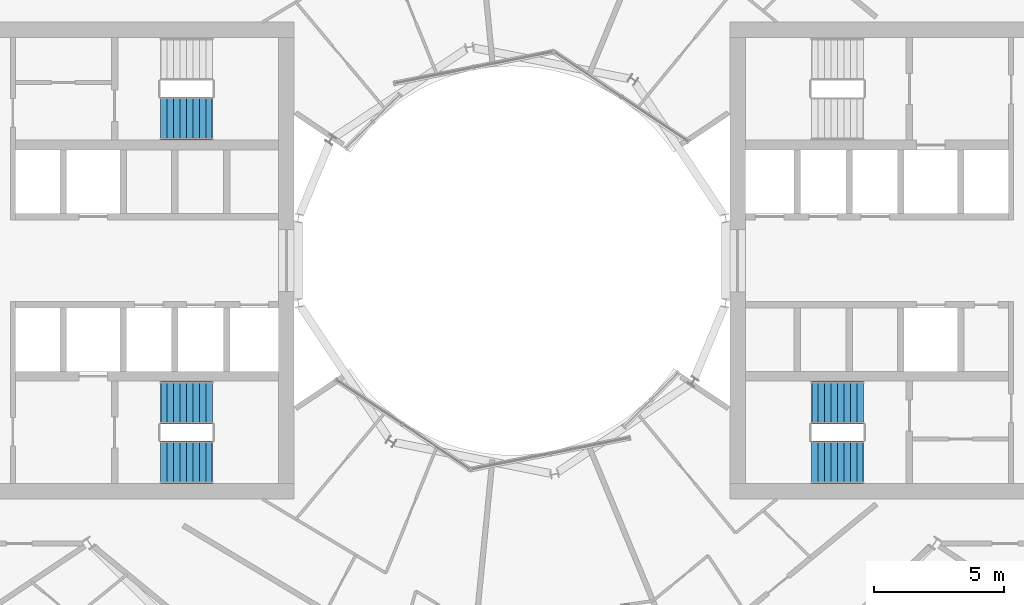
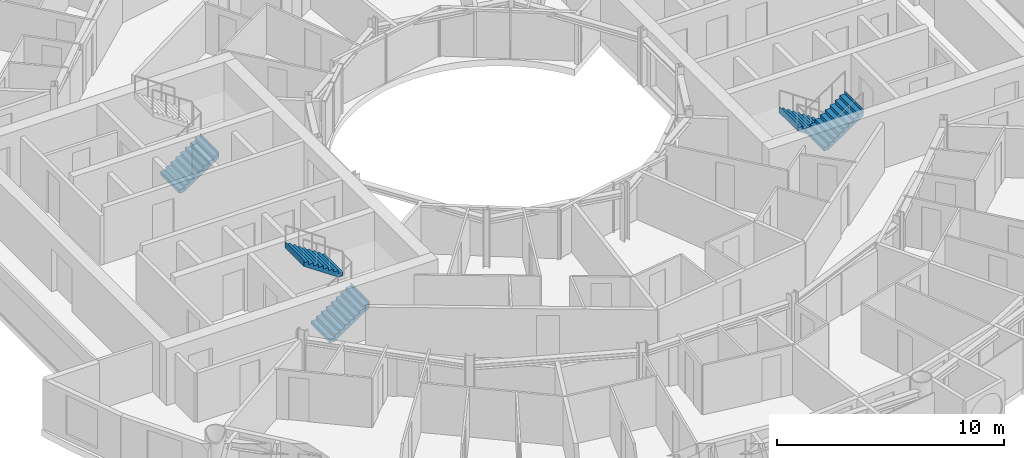
# One storey, part 24 of 27: 5 stair flights, 3 elements without a shape of their own.
"""IFC4 building model written with IfcOpenShell, lengths in metres."""

from ifc_helpers import new_model, si_unit, direction, frame, origin, place, context, subcontext, project, spatial, triangles, material, type_object, element, aggregate, save


model = new_model("IFC4")

# Units and contexts
model_context = context("Model", 3, precision=1e-05, world=origin(), true_north=direction((0.0, 1.0)))
body_context = subcontext(model_context, "Body", "Model", "MODEL_VIEW")
ifc_project = project(units=[si_unit("LENGTHUNIT", "METRE"), si_unit("AREAUNIT", "SQUARE_METRE"), si_unit("VOLUMEUNIT", "CUBIC_METRE"), si_unit("PLANEANGLEUNIT", "RADIAN"), si_unit("MASSUNIT", "GRAM", prefix="KILO")], contexts=[model_context])

# Site, building, storey
site_placement = place(None, origin())
site = spatial("IfcSite", under=ifc_project, at=site_placement, CompositionType="ELEMENT")
building_placement = place(site_placement, origin())
building = spatial("IfcBuilding", under=site, at=building_placement, Name="Maasbend Ring Residences", CompositionType="ELEMENT")
storey_placement = place(building_placement, frame((0.0, 0.0, 136.050048828125)))
storey = spatial("IfcBuildingStorey", under=building, at=storey_placement, Name="L39", CompositionType="ELEMENT", Elevation=136.050048828125)

# Stair, stair flights
ifc_material_1 = material(Name="Concrete C40/50", Category="concrete")
stair_type = type_object("IfcStairType", Name="CORE STAIR 18 RISERS", PredefinedType="HALF_TURN_STAIR", material=ifc_material_1)
stair_1_placement = place(storey_placement, origin())
stair_1 = element("IfcStair", 1, at=stair_1_placement, inside=storey, type_object=stair_type, Name="L39 Exit stair ST-E2", PredefinedType="HALF_TURN_STAIR")
ifc_material_2 = material(Name="Concrete C40/50", Category="concrete")
stair_flight_type = type_object("IfcStairFlightType", Name="CORE STAIR FLIGHT 1650", PredefinedType="STRAIGHT", material=ifc_material_2)
stair_flight_1_placement = place(storey_placement, frame((13.550048828125, -5.47509765625, 0.0), z_axis=(0.0, 0.0, 1.0), x_axis=(-1.0, 0.0, 0.0)))
stair_flight_1 = element("IfcStairFlight", 2, at=stair_flight_1_placement, type_object=stair_flight_type, Name="ST-E2 flight 1", NumberOfRisers=9, NumberOfTreads=8, PredefinedType="STRAIGHT", RiserHeight=0.169444444, TreadLength=0.25, context=body_context, shape_type="Tessellation", body=[
    triangles([(0.24072265625, 0.824951171875, -0.02001953125), (2.0029296875, 0.824951171875, 1.174560546875), (2.0029296875, 0.824951171875, 1.52490234375), (1.989990234375, 0.824951171875, 1.35546875), (1.75, 0.824951171875, 1.35546875), (1.75, 0.824951171875, 1.18603515625), (1.5, 0.824951171875, 1.18603515625), (1.5, 0.824951171875, 1.0166015625), (1.25, 0.824951171875, 1.0166015625), (1.25, 0.824951171875, 0.84716796875), (1.0, 0.824951171875, 0.84716796875), (1.0, 0.824951171875, 0.677734375), (0.75, 0.824951171875, 0.677734375), (0.75, 0.824951171875, 0.50830078125), (0.5, 0.824951171875, 0.50830078125), (0.5, 0.824951171875, 0.3388671875), (0.25, 0.824951171875, 0.3388671875), (0.25, 0.824951171875, 0.16943359375), (0.0, 0.824951171875, 0.16943359375), (0.0, 0.824951171875, 0.0), (-0.0029296875, 0.824951171875, 0.0), (-0.0029296875, 0.824951171875, -0.02001953125), (0.24072265625, 0.27490234375, -0.02001953125), (2.0029296875, 0.27490234375, 1.174560546875), (2.0029296875, 0.27490234375, 1.52490234375), (1.989990234375, 0.27490234375, 1.35546875), (1.75, 0.27490234375, 1.35546875), (1.75, 0.27490234375, 1.18603515625), (1.5, 0.27490234375, 1.18603515625), (1.5, 0.27490234375, 1.0166015625), (1.25, 0.27490234375, 1.0166015625), (1.25, 0.27490234375, 0.84716796875), (1.0, 0.27490234375, 0.84716796875), (1.0, 0.27490234375, 0.677734375), (0.75, 0.27490234375, 0.677734375), (0.75, 0.27490234375, 0.50830078125), (0.5, 0.27490234375, 0.50830078125), (0.5, 0.27490234375, 0.3388671875), (0.25, 0.27490234375, 0.3388671875), (0.25, 0.27490234375, 0.16943359375), (0.0, 0.27490234375, 0.16943359375), (0.0, 0.27490234375, 0.0), (-0.0029296875, 0.27490234375, 0.0), (-0.0029296875, 0.27490234375, -0.02001953125), (0.24072265625, -0.27490234375, -0.02001953125), (2.0029296875, -0.27490234375, 1.174560546875), (2.0029296875, -0.27490234375, 1.52490234375), (1.989990234375, -0.27490234375, 1.35546875), (1.75, -0.27490234375, 1.35546875), (1.75, -0.27490234375, 1.18603515625), (1.5, -0.27490234375, 1.18603515625), (1.5, -0.27490234375, 1.0166015625), (1.25, -0.27490234375, 1.0166015625), (1.25, -0.27490234375, 0.84716796875), (1.0, -0.27490234375, 0.84716796875), (1.0, -0.27490234375, 0.677734375), (0.75, -0.27490234375, 0.677734375), (0.75, -0.27490234375, 0.50830078125), (0.5, -0.27490234375, 0.50830078125), (0.5, -0.27490234375, 0.3388671875), (0.25, -0.27490234375, 0.3388671875), (0.25, -0.27490234375, 0.16943359375), (0.0, -0.27490234375, 0.16943359375), (0.0, -0.27490234375, 0.0), (-0.0029296875, -0.27490234375, 0.0), (-0.0029296875, -0.27490234375, -0.02001953125), (0.24072265625, -0.824951171875, -0.02001953125), (2.0029296875, -0.824951171875, 1.174560546875), (2.0029296875, -0.824951171875, 1.52490234375), (1.989990234375, -0.824951171875, 1.35546875), (1.75, -0.824951171875, 1.35546875), (1.75, -0.824951171875, 1.18603515625), (1.5, -0.824951171875, 1.18603515625), (1.5, -0.824951171875, 1.0166015625), (1.25, -0.824951171875, 1.0166015625), (1.25, -0.824951171875, 0.84716796875), (1.0, -0.824951171875, 0.84716796875), (1.0, -0.824951171875, 0.677734375), (0.75, -0.824951171875, 0.677734375), (0.75, -0.824951171875, 0.50830078125), (0.5, -0.824951171875, 0.50830078125), (0.5, -0.824951171875, 0.3388671875), (0.25, -0.824951171875, 0.3388671875), (0.25, -0.824951171875, 0.16943359375), (0.0, -0.824951171875, 0.16943359375), (0.0, -0.824951171875, 0.0), (-0.0029296875, -0.824951171875, 0.0), (-0.0029296875, -0.824951171875, -0.02001953125)], [[1, 2, 24], [1, 24, 23], [23, 24, 46], [23, 46, 45], [45, 46, 68], [45, 68, 67], [2, 3, 25], [2, 25, 24], [24, 25, 47], [24, 47, 46], [46, 47, 69], [46, 69, 68], [3, 4, 26], [3, 26, 25], [25, 26, 48], [25, 48, 47], [47, 48, 70], [47, 70, 69], [4, 5, 27], [4, 27, 26], [26, 27, 49], [26, 49, 48], [48, 49, 71], [48, 71, 70], [5, 6, 28], [5, 28, 27], [27, 28, 50], [27, 50, 49], [49, 50, 72], [49, 72, 71], [6, 7, 29], [6, 29, 28], [28, 29, 51], [28, 51, 50], [50, 51, 73], [50, 73, 72], [7, 8, 30], [7, 30, 29], [29, 30, 52], [29, 52, 51], [51, 52, 74], [51, 74, 73], [8, 9, 31], [8, 31, 30], [30, 31, 53], [30, 53, 52], [52, 53, 75], [52, 75, 74], [9, 10, 32], [9, 32, 31], [31, 32, 54], [31, 54, 53], [53, 54, 76], [53, 76, 75], [10, 11, 33], [10, 33, 32], [32, 33, 55], [32, 55, 54], [54, 55, 77], [54, 77, 76], [11, 12, 34], [11, 34, 33], [33, 34, 56], [33, 56, 55], [55, 56, 78], [55, 78, 77], [12, 13, 35], [12, 35, 34], [34, 35, 57], [34, 57, 56], [56, 57, 79], [56, 79, 78], [13, 14, 36], [13, 36, 35], [35, 36, 58], [35, 58, 57], [57, 58, 80], [57, 80, 79], [14, 15, 37], [14, 37, 36], [36, 37, 59], [36, 59, 58], [58, 59, 81], [58, 81, 80], [15, 16, 38], [15, 38, 37], [37, 38, 60], [37, 60, 59], [59, 60, 82], [59, 82, 81], [16, 17, 39], [16, 39, 38], [38, 39, 61], [38, 61, 60], [60, 61, 83], [60, 83, 82], [17, 18, 40], [17, 40, 39], [39, 40, 62], [39, 62, 61], [61, 62, 84], [61, 84, 83], [18, 19, 41], [18, 41, 40], [40, 41, 63], [40, 63, 62], [62, 63, 85], [62, 85, 84], [19, 20, 42], [19, 42, 41], [41, 42, 64], [41, 64, 63], [63, 64, 86], [63, 86, 85], [20, 21, 43], [20, 43, 42], [42, 43, 65], [42, 65, 64], [64, 65, 87], [64, 87, 86], [21, 22, 44], [21, 44, 43], [43, 44, 66], [43, 66, 65], [65, 66, 88], [65, 88, 87], [22, 1, 23], [22, 23, 44], [44, 23, 45], [44, 45, 66], [66, 45, 67], [66, 67, 88], [22, 2, 1], [2, 4, 3], [2, 5, 4], [2, 6, 5], [22, 6, 2], [6, 8, 7], [22, 8, 6], [8, 10, 9], [22, 10, 8], [10, 12, 11], [22, 12, 10], [12, 14, 13], [22, 14, 12], [14, 16, 15], [22, 16, 14], [16, 18, 17], [22, 18, 16], [18, 20, 19], [22, 20, 18], [20, 22, 21], [88, 67, 68], [68, 69, 70], [68, 70, 71], [68, 71, 72], [88, 68, 72], [72, 73, 74], [88, 72, 74], [74, 75, 76], [88, 74, 76], [76, 77, 78], [88, 76, 78], [78, 79, 80], [88, 78, 80], [80, 81, 82], [88, 80, 82], [82, 83, 84], [88, 82, 84], [84, 85, 86], [88, 84, 86], [86, 87, 88]], closed=True),
])
stair_flight_2_placement = place(storey_placement, frame((11.550048828125, -7.77490234375, 1.52490234375), z_axis=(0.0, 0.0, 1.0), x_axis=(1.0, 0.0, 0.0)))
stair_flight_2 = element("IfcStairFlight", 3, at=stair_flight_2_placement, type_object=stair_flight_type, Name="ST-E2 flight 2", NumberOfRisers=9, NumberOfTreads=8, PredefinedType="STRAIGHT", RiserHeight=0.169444444, TreadLength=0.25, context=body_context, shape_type="Tessellation", body=[
    triangles([(0.24072265625, 0.824951171875, -0.02001953125), (2.0029296875, 0.824951171875, 1.174560546875), (2.0029296875, 0.824951171875, 1.52490234375), (1.989990234375, 0.824951171875, 1.35546875), (1.75, 0.824951171875, 1.35546875), (1.75, 0.824951171875, 1.18603515625), (1.5, 0.824951171875, 1.18603515625), (1.5, 0.824951171875, 1.0166015625), (1.25, 0.824951171875, 1.0166015625), (1.25, 0.824951171875, 0.84716796875), (1.0, 0.824951171875, 0.84716796875), (1.0, 0.824951171875, 0.677734375), (0.75, 0.824951171875, 0.677734375), (0.75, 0.824951171875, 0.50830078125), (0.5, 0.824951171875, 0.50830078125), (0.5, 0.824951171875, 0.3388671875), (0.25, 0.824951171875, 0.3388671875), (0.25, 0.824951171875, 0.16943359375), (0.0, 0.824951171875, 0.16943359375), (0.0, 0.824951171875, 0.0), (-0.0029296875, 0.824951171875, 0.0), (-0.0029296875, 0.824951171875, -0.02001953125), (0.24072265625, 0.27490234375, -0.02001953125), (2.0029296875, 0.27490234375, 1.174560546875), (2.0029296875, 0.27490234375, 1.52490234375), (1.989990234375, 0.27490234375, 1.35546875), (1.75, 0.27490234375, 1.35546875), (1.75, 0.27490234375, 1.18603515625), (1.5, 0.27490234375, 1.18603515625), (1.5, 0.27490234375, 1.0166015625), (1.25, 0.27490234375, 1.0166015625), (1.25, 0.27490234375, 0.84716796875), (1.0, 0.27490234375, 0.84716796875), (1.0, 0.27490234375, 0.677734375), (0.75, 0.27490234375, 0.677734375), (0.75, 0.27490234375, 0.50830078125), (0.5, 0.27490234375, 0.50830078125), (0.5, 0.27490234375, 0.3388671875), (0.25, 0.27490234375, 0.3388671875), (0.25, 0.27490234375, 0.16943359375), (0.0, 0.27490234375, 0.16943359375), (0.0, 0.27490234375, 0.0), (-0.0029296875, 0.27490234375, 0.0), (-0.0029296875, 0.27490234375, -0.02001953125), (0.24072265625, -0.27490234375, -0.02001953125), (2.0029296875, -0.27490234375, 1.174560546875), (2.0029296875, -0.27490234375, 1.52490234375), (1.989990234375, -0.27490234375, 1.35546875), (1.75, -0.27490234375, 1.35546875), (1.75, -0.27490234375, 1.18603515625), (1.5, -0.27490234375, 1.18603515625), (1.5, -0.27490234375, 1.0166015625), (1.25, -0.27490234375, 1.0166015625), (1.25, -0.27490234375, 0.84716796875), (1.0, -0.27490234375, 0.84716796875), (1.0, -0.27490234375, 0.677734375), (0.75, -0.27490234375, 0.677734375), (0.75, -0.27490234375, 0.50830078125), (0.5, -0.27490234375, 0.50830078125), (0.5, -0.27490234375, 0.3388671875), (0.25, -0.27490234375, 0.3388671875), (0.25, -0.27490234375, 0.16943359375), (0.0, -0.27490234375, 0.16943359375), (0.0, -0.27490234375, 0.0), (-0.0029296875, -0.27490234375, 0.0), (-0.0029296875, -0.27490234375, -0.02001953125), (0.24072265625, -0.824951171875, -0.02001953125), (2.0029296875, -0.824951171875, 1.174560546875), (2.0029296875, -0.824951171875, 1.52490234375), (1.989990234375, -0.824951171875, 1.35546875), (1.75, -0.824951171875, 1.35546875), (1.75, -0.824951171875, 1.18603515625), (1.5, -0.824951171875, 1.18603515625), (1.5, -0.824951171875, 1.0166015625), (1.25, -0.824951171875, 1.0166015625), (1.25, -0.824951171875, 0.84716796875), (1.0, -0.824951171875, 0.84716796875), (1.0, -0.824951171875, 0.677734375), (0.75, -0.824951171875, 0.677734375), (0.75, -0.824951171875, 0.50830078125), (0.5, -0.824951171875, 0.50830078125), (0.5, -0.824951171875, 0.3388671875), (0.25, -0.824951171875, 0.3388671875), (0.25, -0.824951171875, 0.16943359375), (0.0, -0.824951171875, 0.16943359375), (0.0, -0.824951171875, 0.0), (-0.0029296875, -0.824951171875, 0.0), (-0.0029296875, -0.824951171875, -0.02001953125)], [[1, 2, 24], [1, 24, 23], [23, 24, 46], [23, 46, 45], [45, 46, 68], [45, 68, 67], [2, 3, 25], [2, 25, 24], [24, 25, 47], [24, 47, 46], [46, 47, 69], [46, 69, 68], [3, 4, 26], [3, 26, 25], [25, 26, 48], [25, 48, 47], [47, 48, 70], [47, 70, 69], [4, 5, 27], [4, 27, 26], [26, 27, 49], [26, 49, 48], [48, 49, 71], [48, 71, 70], [5, 6, 28], [5, 28, 27], [27, 28, 50], [27, 50, 49], [49, 50, 72], [49, 72, 71], [6, 7, 29], [6, 29, 28], [28, 29, 51], [28, 51, 50], [50, 51, 73], [50, 73, 72], [7, 8, 30], [7, 30, 29], [29, 30, 52], [29, 52, 51], [51, 52, 74], [51, 74, 73], [8, 9, 31], [8, 31, 30], [30, 31, 53], [30, 53, 52], [52, 53, 75], [52, 75, 74], [9, 10, 32], [9, 32, 31], [31, 32, 54], [31, 54, 53], [53, 54, 76], [53, 76, 75], [10, 11, 33], [10, 33, 32], [32, 33, 55], [32, 55, 54], [54, 55, 77], [54, 77, 76], [11, 12, 34], [11, 34, 33], [33, 34, 56], [33, 56, 55], [55, 56, 78], [55, 78, 77], [12, 13, 35], [12, 35, 34], [34, 35, 57], [34, 57, 56], [56, 57, 79], [56, 79, 78], [13, 14, 36], [13, 36, 35], [35, 36, 58], [35, 58, 57], [57, 58, 80], [57, 80, 79], [14, 15, 37], [14, 37, 36], [36, 37, 59], [36, 59, 58], [58, 59, 81], [58, 81, 80], [15, 16, 38], [15, 38, 37], [37, 38, 60], [37, 60, 59], [59, 60, 82], [59, 82, 81], [16, 17, 39], [16, 39, 38], [38, 39, 61], [38, 61, 60], [60, 61, 83], [60, 83, 82], [17, 18, 40], [17, 40, 39], [39, 40, 62], [39, 62, 61], [61, 62, 84], [61, 84, 83], [18, 19, 41], [18, 41, 40], [40, 41, 63], [40, 63, 62], [62, 63, 85], [62, 85, 84], [19, 20, 42], [19, 42, 41], [41, 42, 64], [41, 64, 63], [63, 64, 86], [63, 86, 85], [20, 21, 43], [20, 43, 42], [42, 43, 65], [42, 65, 64], [64, 65, 87], [64, 87, 86], [21, 22, 44], [21, 44, 43], [43, 44, 66], [43, 66, 65], [65, 66, 88], [65, 88, 87], [22, 1, 23], [22, 23, 44], [44, 23, 45], [44, 45, 66], [66, 45, 67], [66, 67, 88], [22, 2, 1], [2, 4, 3], [2, 5, 4], [2, 6, 5], [22, 6, 2], [6, 8, 7], [22, 8, 6], [8, 10, 9], [22, 10, 8], [10, 12, 11], [22, 12, 10], [12, 14, 13], [22, 14, 12], [14, 16, 15], [22, 16, 14], [16, 18, 17], [22, 18, 16], [18, 20, 19], [22, 20, 18], [20, 22, 21], [88, 67, 68], [68, 69, 70], [68, 70, 71], [68, 71, 72], [88, 68, 72], [72, 73, 74], [88, 72, 74], [74, 75, 76], [88, 74, 76], [76, 77, 78], [88, 76, 78], [78, 79, 80], [88, 78, 80], [80, 81, 82], [88, 80, 82], [82, 83, 84], [88, 82, 84], [84, 85, 86], [88, 84, 86], [86, 87, 88]], closed=True),
])
aggregate(stair_1, [stair_flight_1, stair_flight_2])

stair_2_placement = place(storey_placement, origin())
stair_2 = element("IfcStair", 4, at=stair_2_placement, inside=storey, type_object=stair_type, Name="L39 Exit stair ST-W1", PredefinedType="HALF_TURN_STAIR")
stair_flight_3_placement = place(storey_placement, frame((-13.550048828125, -7.77490234375, 0.0), z_axis=(0.0, 0.0, 1.0), x_axis=(1.0, 0.0, 0.0)))
stair_flight_3 = element("IfcStairFlight", 5, at=stair_flight_3_placement, type_object=stair_flight_type, Name="ST-W1 flight 1", NumberOfRisers=9, NumberOfTreads=8, PredefinedType="STRAIGHT", RiserHeight=0.169444444, TreadLength=0.25, context=body_context, shape_type="Tessellation", body=[
    triangles([(0.24072265625, 0.824951171875, -0.02001953125), (2.0029296875, 0.824951171875, 1.174560546875), (2.0029296875, 0.824951171875, 1.52490234375), (1.989990234375, 0.824951171875, 1.35546875), (1.75, 0.824951171875, 1.35546875), (1.75, 0.824951171875, 1.18603515625), (1.5, 0.824951171875, 1.18603515625), (1.5, 0.824951171875, 1.0166015625), (1.25, 0.824951171875, 1.0166015625), (1.25, 0.824951171875, 0.84716796875), (1.0, 0.824951171875, 0.84716796875), (1.0, 0.824951171875, 0.677734375), (0.75, 0.824951171875, 0.677734375), (0.75, 0.824951171875, 0.50830078125), (0.5, 0.824951171875, 0.50830078125), (0.5, 0.824951171875, 0.3388671875), (0.25, 0.824951171875, 0.3388671875), (0.25, 0.824951171875, 0.16943359375), (0.0, 0.824951171875, 0.16943359375), (0.0, 0.824951171875, 0.0), (-0.0029296875, 0.824951171875, 0.0), (-0.0029296875, 0.824951171875, -0.02001953125), (0.24072265625, 0.27490234375, -0.02001953125), (2.0029296875, 0.27490234375, 1.174560546875), (2.0029296875, 0.27490234375, 1.52490234375), (1.989990234375, 0.27490234375, 1.35546875), (1.75, 0.27490234375, 1.35546875), (1.75, 0.27490234375, 1.18603515625), (1.5, 0.27490234375, 1.18603515625), (1.5, 0.27490234375, 1.0166015625), (1.25, 0.27490234375, 1.0166015625), (1.25, 0.27490234375, 0.84716796875), (1.0, 0.27490234375, 0.84716796875), (1.0, 0.27490234375, 0.677734375), (0.75, 0.27490234375, 0.677734375), (0.75, 0.27490234375, 0.50830078125), (0.5, 0.27490234375, 0.50830078125), (0.5, 0.27490234375, 0.3388671875), (0.25, 0.27490234375, 0.3388671875), (0.25, 0.27490234375, 0.16943359375), (0.0, 0.27490234375, 0.16943359375), (0.0, 0.27490234375, 0.0), (-0.0029296875, 0.27490234375, 0.0), (-0.0029296875, 0.27490234375, -0.02001953125), (0.24072265625, -0.27490234375, -0.02001953125), (2.0029296875, -0.27490234375, 1.174560546875), (2.0029296875, -0.27490234375, 1.52490234375), (1.989990234375, -0.27490234375, 1.35546875), (1.75, -0.27490234375, 1.35546875), (1.75, -0.27490234375, 1.18603515625), (1.5, -0.27490234375, 1.18603515625), (1.5, -0.27490234375, 1.0166015625), (1.25, -0.27490234375, 1.0166015625), (1.25, -0.27490234375, 0.84716796875), (1.0, -0.27490234375, 0.84716796875), (1.0, -0.27490234375, 0.677734375), (0.75, -0.27490234375, 0.677734375), (0.75, -0.27490234375, 0.50830078125), (0.5, -0.27490234375, 0.50830078125), (0.5, -0.27490234375, 0.3388671875), (0.25, -0.27490234375, 0.3388671875), (0.25, -0.27490234375, 0.16943359375), (0.0, -0.27490234375, 0.16943359375), (0.0, -0.27490234375, 0.0), (-0.0029296875, -0.27490234375, 0.0), (-0.0029296875, -0.27490234375, -0.02001953125), (0.24072265625, -0.824951171875, -0.02001953125), (2.0029296875, -0.824951171875, 1.174560546875), (2.0029296875, -0.824951171875, 1.52490234375), (1.989990234375, -0.824951171875, 1.35546875), (1.75, -0.824951171875, 1.35546875), (1.75, -0.824951171875, 1.18603515625), (1.5, -0.824951171875, 1.18603515625), (1.5, -0.824951171875, 1.0166015625), (1.25, -0.824951171875, 1.0166015625), (1.25, -0.824951171875, 0.84716796875), (1.0, -0.824951171875, 0.84716796875), (1.0, -0.824951171875, 0.677734375), (0.75, -0.824951171875, 0.677734375), (0.75, -0.824951171875, 0.50830078125), (0.5, -0.824951171875, 0.50830078125), (0.5, -0.824951171875, 0.3388671875), (0.25, -0.824951171875, 0.3388671875), (0.25, -0.824951171875, 0.16943359375), (0.0, -0.824951171875, 0.16943359375), (0.0, -0.824951171875, 0.0), (-0.0029296875, -0.824951171875, 0.0), (-0.0029296875, -0.824951171875, -0.02001953125)], [[1, 2, 24], [1, 24, 23], [23, 24, 46], [23, 46, 45], [45, 46, 68], [45, 68, 67], [2, 3, 25], [2, 25, 24], [24, 25, 47], [24, 47, 46], [46, 47, 69], [46, 69, 68], [3, 4, 26], [3, 26, 25], [25, 26, 48], [25, 48, 47], [47, 48, 70], [47, 70, 69], [4, 5, 27], [4, 27, 26], [26, 27, 49], [26, 49, 48], [48, 49, 71], [48, 71, 70], [5, 6, 28], [5, 28, 27], [27, 28, 50], [27, 50, 49], [49, 50, 72], [49, 72, 71], [6, 7, 29], [6, 29, 28], [28, 29, 51], [28, 51, 50], [50, 51, 73], [50, 73, 72], [7, 8, 30], [7, 30, 29], [29, 30, 52], [29, 52, 51], [51, 52, 74], [51, 74, 73], [8, 9, 31], [8, 31, 30], [30, 31, 53], [30, 53, 52], [52, 53, 75], [52, 75, 74], [9, 10, 32], [9, 32, 31], [31, 32, 54], [31, 54, 53], [53, 54, 76], [53, 76, 75], [10, 11, 33], [10, 33, 32], [32, 33, 55], [32, 55, 54], [54, 55, 77], [54, 77, 76], [11, 12, 34], [11, 34, 33], [33, 34, 56], [33, 56, 55], [55, 56, 78], [55, 78, 77], [12, 13, 35], [12, 35, 34], [34, 35, 57], [34, 57, 56], [56, 57, 79], [56, 79, 78], [13, 14, 36], [13, 36, 35], [35, 36, 58], [35, 58, 57], [57, 58, 80], [57, 80, 79], [14, 15, 37], [14, 37, 36], [36, 37, 59], [36, 59, 58], [58, 59, 81], [58, 81, 80], [15, 16, 38], [15, 38, 37], [37, 38, 60], [37, 60, 59], [59, 60, 82], [59, 82, 81], [16, 17, 39], [16, 39, 38], [38, 39, 61], [38, 61, 60], [60, 61, 83], [60, 83, 82], [17, 18, 40], [17, 40, 39], [39, 40, 62], [39, 62, 61], [61, 62, 84], [61, 84, 83], [18, 19, 41], [18, 41, 40], [40, 41, 63], [40, 63, 62], [62, 63, 85], [62, 85, 84], [19, 20, 42], [19, 42, 41], [41, 42, 64], [41, 64, 63], [63, 64, 86], [63, 86, 85], [20, 21, 43], [20, 43, 42], [42, 43, 65], [42, 65, 64], [64, 65, 87], [64, 87, 86], [21, 22, 44], [21, 44, 43], [43, 44, 66], [43, 66, 65], [65, 66, 88], [65, 88, 87], [22, 1, 23], [22, 23, 44], [44, 23, 45], [44, 45, 66], [66, 45, 67], [66, 67, 88], [22, 2, 1], [2, 4, 3], [2, 5, 4], [2, 6, 5], [22, 6, 2], [6, 8, 7], [22, 8, 6], [8, 10, 9], [22, 10, 8], [10, 12, 11], [22, 12, 10], [12, 14, 13], [22, 14, 12], [14, 16, 15], [22, 16, 14], [16, 18, 17], [22, 18, 16], [18, 20, 19], [22, 20, 18], [20, 22, 21], [88, 67, 68], [68, 69, 70], [68, 70, 71], [68, 71, 72], [88, 68, 72], [72, 73, 74], [88, 72, 74], [74, 75, 76], [88, 74, 76], [76, 77, 78], [88, 76, 78], [78, 79, 80], [88, 78, 80], [80, 81, 82], [88, 80, 82], [82, 83, 84], [88, 82, 84], [84, 85, 86], [88, 84, 86], [86, 87, 88]], closed=True),
])
stair_flight_4_placement = place(storey_placement, frame((-11.550048828125, -5.47509765625, 1.52490234375), z_axis=(0.0, 0.0, 1.0), x_axis=(-1.0, 0.0, 0.0)))
stair_flight_4 = element("IfcStairFlight", 6, at=stair_flight_4_placement, type_object=stair_flight_type, Name="ST-W1 flight 2", NumberOfRisers=9, NumberOfTreads=8, PredefinedType="STRAIGHT", RiserHeight=0.169444444, TreadLength=0.25, context=body_context, shape_type="Tessellation", body=[
    triangles([(0.24072265625, 0.824951171875, -0.02001953125), (2.0029296875, 0.824951171875, 1.174560546875), (2.0029296875, 0.824951171875, 1.52490234375), (1.989990234375, 0.824951171875, 1.35546875), (1.75, 0.824951171875, 1.35546875), (1.75, 0.824951171875, 1.18603515625), (1.5, 0.824951171875, 1.18603515625), (1.5, 0.824951171875, 1.0166015625), (1.25, 0.824951171875, 1.0166015625), (1.25, 0.824951171875, 0.84716796875), (1.0, 0.824951171875, 0.84716796875), (1.0, 0.824951171875, 0.677734375), (0.75, 0.824951171875, 0.677734375), (0.75, 0.824951171875, 0.50830078125), (0.5, 0.824951171875, 0.50830078125), (0.5, 0.824951171875, 0.3388671875), (0.25, 0.824951171875, 0.3388671875), (0.25, 0.824951171875, 0.16943359375), (0.0, 0.824951171875, 0.16943359375), (0.0, 0.824951171875, 0.0), (-0.0029296875, 0.824951171875, 0.0), (-0.0029296875, 0.824951171875, -0.02001953125), (0.24072265625, 0.27490234375, -0.02001953125), (2.0029296875, 0.27490234375, 1.174560546875), (2.0029296875, 0.27490234375, 1.52490234375), (1.989990234375, 0.27490234375, 1.35546875), (1.75, 0.27490234375, 1.35546875), (1.75, 0.27490234375, 1.18603515625), (1.5, 0.27490234375, 1.18603515625), (1.5, 0.27490234375, 1.0166015625), (1.25, 0.27490234375, 1.0166015625), (1.25, 0.27490234375, 0.84716796875), (1.0, 0.27490234375, 0.84716796875), (1.0, 0.27490234375, 0.677734375), (0.75, 0.27490234375, 0.677734375), (0.75, 0.27490234375, 0.50830078125), (0.5, 0.27490234375, 0.50830078125), (0.5, 0.27490234375, 0.3388671875), (0.25, 0.27490234375, 0.3388671875), (0.25, 0.27490234375, 0.16943359375), (0.0, 0.27490234375, 0.16943359375), (0.0, 0.27490234375, 0.0), (-0.0029296875, 0.27490234375, 0.0), (-0.0029296875, 0.27490234375, -0.02001953125), (0.24072265625, -0.27490234375, -0.02001953125), (2.0029296875, -0.27490234375, 1.174560546875), (2.0029296875, -0.27490234375, 1.52490234375), (1.989990234375, -0.27490234375, 1.35546875), (1.75, -0.27490234375, 1.35546875), (1.75, -0.27490234375, 1.18603515625), (1.5, -0.27490234375, 1.18603515625), (1.5, -0.27490234375, 1.0166015625), (1.25, -0.27490234375, 1.0166015625), (1.25, -0.27490234375, 0.84716796875), (1.0, -0.27490234375, 0.84716796875), (1.0, -0.27490234375, 0.677734375), (0.75, -0.27490234375, 0.677734375), (0.75, -0.27490234375, 0.50830078125), (0.5, -0.27490234375, 0.50830078125), (0.5, -0.27490234375, 0.3388671875), (0.25, -0.27490234375, 0.3388671875), (0.25, -0.27490234375, 0.16943359375), (0.0, -0.27490234375, 0.16943359375), (0.0, -0.27490234375, 0.0), (-0.0029296875, -0.27490234375, 0.0), (-0.0029296875, -0.27490234375, -0.02001953125), (0.24072265625, -0.824951171875, -0.02001953125), (2.0029296875, -0.824951171875, 1.174560546875), (2.0029296875, -0.824951171875, 1.52490234375), (1.989990234375, -0.824951171875, 1.35546875), (1.75, -0.824951171875, 1.35546875), (1.75, -0.824951171875, 1.18603515625), (1.5, -0.824951171875, 1.18603515625), (1.5, -0.824951171875, 1.0166015625), (1.25, -0.824951171875, 1.0166015625), (1.25, -0.824951171875, 0.84716796875), (1.0, -0.824951171875, 0.84716796875), (1.0, -0.824951171875, 0.677734375), (0.75, -0.824951171875, 0.677734375), (0.75, -0.824951171875, 0.50830078125), (0.5, -0.824951171875, 0.50830078125), (0.5, -0.824951171875, 0.3388671875), (0.25, -0.824951171875, 0.3388671875), (0.25, -0.824951171875, 0.16943359375), (0.0, -0.824951171875, 0.16943359375), (0.0, -0.824951171875, 0.0), (-0.0029296875, -0.824951171875, 0.0), (-0.0029296875, -0.824951171875, -0.02001953125)], [[1, 2, 24], [1, 24, 23], [23, 24, 46], [23, 46, 45], [45, 46, 68], [45, 68, 67], [2, 3, 25], [2, 25, 24], [24, 25, 47], [24, 47, 46], [46, 47, 69], [46, 69, 68], [3, 4, 26], [3, 26, 25], [25, 26, 48], [25, 48, 47], [47, 48, 70], [47, 70, 69], [4, 5, 27], [4, 27, 26], [26, 27, 49], [26, 49, 48], [48, 49, 71], [48, 71, 70], [5, 6, 28], [5, 28, 27], [27, 28, 50], [27, 50, 49], [49, 50, 72], [49, 72, 71], [6, 7, 29], [6, 29, 28], [28, 29, 51], [28, 51, 50], [50, 51, 73], [50, 73, 72], [7, 8, 30], [7, 30, 29], [29, 30, 52], [29, 52, 51], [51, 52, 74], [51, 74, 73], [8, 9, 31], [8, 31, 30], [30, 31, 53], [30, 53, 52], [52, 53, 75], [52, 75, 74], [9, 10, 32], [9, 32, 31], [31, 32, 54], [31, 54, 53], [53, 54, 76], [53, 76, 75], [10, 11, 33], [10, 33, 32], [32, 33, 55], [32, 55, 54], [54, 55, 77], [54, 77, 76], [11, 12, 34], [11, 34, 33], [33, 34, 56], [33, 56, 55], [55, 56, 78], [55, 78, 77], [12, 13, 35], [12, 35, 34], [34, 35, 57], [34, 57, 56], [56, 57, 79], [56, 79, 78], [13, 14, 36], [13, 36, 35], [35, 36, 58], [35, 58, 57], [57, 58, 80], [57, 80, 79], [14, 15, 37], [14, 37, 36], [36, 37, 59], [36, 59, 58], [58, 59, 81], [58, 81, 80], [15, 16, 38], [15, 38, 37], [37, 38, 60], [37, 60, 59], [59, 60, 82], [59, 82, 81], [16, 17, 39], [16, 39, 38], [38, 39, 61], [38, 61, 60], [60, 61, 83], [60, 83, 82], [17, 18, 40], [17, 40, 39], [39, 40, 62], [39, 62, 61], [61, 62, 84], [61, 84, 83], [18, 19, 41], [18, 41, 40], [40, 41, 63], [40, 63, 62], [62, 63, 85], [62, 85, 84], [19, 20, 42], [19, 42, 41], [41, 42, 64], [41, 64, 63], [63, 64, 86], [63, 86, 85], [20, 21, 43], [20, 43, 42], [42, 43, 65], [42, 65, 64], [64, 65, 87], [64, 87, 86], [21, 22, 44], [21, 44, 43], [43, 44, 66], [43, 66, 65], [65, 66, 88], [65, 88, 87], [22, 1, 23], [22, 23, 44], [44, 23, 45], [44, 45, 66], [66, 45, 67], [66, 67, 88], [22, 2, 1], [2, 4, 3], [2, 5, 4], [2, 6, 5], [22, 6, 2], [6, 8, 7], [22, 8, 6], [8, 10, 9], [22, 10, 8], [10, 12, 11], [22, 12, 10], [12, 14, 13], [22, 14, 12], [14, 16, 15], [22, 16, 14], [16, 18, 17], [22, 18, 16], [18, 20, 19], [22, 20, 18], [20, 22, 21], [88, 67, 68], [68, 69, 70], [68, 70, 71], [68, 71, 72], [88, 68, 72], [72, 73, 74], [88, 72, 74], [74, 75, 76], [88, 74, 76], [76, 77, 78], [88, 76, 78], [78, 79, 80], [88, 78, 80], [80, 81, 82], [88, 80, 82], [82, 83, 84], [88, 82, 84], [84, 85, 86], [88, 84, 86], [86, 87, 88]], closed=True),
])
aggregate(stair_2, [stair_flight_3, stair_flight_4])

# Stair, stair flight
stair_3_placement = place(storey_placement, origin())
stair_3 = element("IfcStair", 7, at=stair_3_placement, inside=storey, type_object=stair_type, Name="L39 Exit stair ST-W2", PredefinedType="HALF_TURN_STAIR")
stair_flight_5_placement = place(storey_placement, frame((-13.550048828125, 5.47509765625, 0.0), z_axis=(0.0, 0.0, 1.0), x_axis=(1.0, 0.0, 0.0)))
stair_flight_5 = element("IfcStairFlight", 8, at=stair_flight_5_placement, type_object=stair_flight_type, Name="ST-W2 flight 1", NumberOfRisers=9, NumberOfTreads=8, PredefinedType="STRAIGHT", RiserHeight=0.169444444, TreadLength=0.25, context=body_context, shape_type="Tessellation", body=[
    triangles([(0.24072265625, 0.824951171875, -0.02001953125), (2.0029296875, 0.824951171875, 1.174560546875), (2.0029296875, 0.824951171875, 1.52490234375), (1.989990234375, 0.824951171875, 1.35546875), (1.75, 0.824951171875, 1.35546875), (1.75, 0.824951171875, 1.18603515625), (1.5, 0.824951171875, 1.18603515625), (1.5, 0.824951171875, 1.0166015625), (1.25, 0.824951171875, 1.0166015625), (1.25, 0.824951171875, 0.84716796875), (1.0, 0.824951171875, 0.84716796875), (1.0, 0.824951171875, 0.677734375), (0.75, 0.824951171875, 0.677734375), (0.75, 0.824951171875, 0.50830078125), (0.5, 0.824951171875, 0.50830078125), (0.5, 0.824951171875, 0.3388671875), (0.25, 0.824951171875, 0.3388671875), (0.25, 0.824951171875, 0.16943359375), (0.0, 0.824951171875, 0.16943359375), (0.0, 0.824951171875, 0.0), (-0.0029296875, 0.824951171875, 0.0), (-0.0029296875, 0.824951171875, -0.02001953125), (0.24072265625, 0.27490234375, -0.02001953125), (2.0029296875, 0.27490234375, 1.174560546875), (2.0029296875, 0.27490234375, 1.52490234375), (1.989990234375, 0.27490234375, 1.35546875), (1.75, 0.27490234375, 1.35546875), (1.75, 0.27490234375, 1.18603515625), (1.5, 0.27490234375, 1.18603515625), (1.5, 0.27490234375, 1.0166015625), (1.25, 0.27490234375, 1.0166015625), (1.25, 0.27490234375, 0.84716796875), (1.0, 0.27490234375, 0.84716796875), (1.0, 0.27490234375, 0.677734375), (0.75, 0.27490234375, 0.677734375), (0.75, 0.27490234375, 0.50830078125), (0.5, 0.27490234375, 0.50830078125), (0.5, 0.27490234375, 0.3388671875), (0.25, 0.27490234375, 0.3388671875), (0.25, 0.27490234375, 0.16943359375), (0.0, 0.27490234375, 0.16943359375), (0.0, 0.27490234375, 0.0), (-0.0029296875, 0.27490234375, 0.0), (-0.0029296875, 0.27490234375, -0.02001953125), (0.24072265625, -0.27490234375, -0.02001953125), (2.0029296875, -0.27490234375, 1.174560546875), (2.0029296875, -0.27490234375, 1.52490234375), (1.989990234375, -0.27490234375, 1.35546875), (1.75, -0.27490234375, 1.35546875), (1.75, -0.27490234375, 1.18603515625), (1.5, -0.27490234375, 1.18603515625), (1.5, -0.27490234375, 1.0166015625), (1.25, -0.27490234375, 1.0166015625), (1.25, -0.27490234375, 0.84716796875), (1.0, -0.27490234375, 0.84716796875), (1.0, -0.27490234375, 0.677734375), (0.75, -0.27490234375, 0.677734375), (0.75, -0.27490234375, 0.50830078125), (0.5, -0.27490234375, 0.50830078125), (0.5, -0.27490234375, 0.3388671875), (0.25, -0.27490234375, 0.3388671875), (0.25, -0.27490234375, 0.16943359375), (0.0, -0.27490234375, 0.16943359375), (0.0, -0.27490234375, 0.0), (-0.0029296875, -0.27490234375, 0.0), (-0.0029296875, -0.27490234375, -0.02001953125), (0.24072265625, -0.824951171875, -0.02001953125), (2.0029296875, -0.824951171875, 1.174560546875), (2.0029296875, -0.824951171875, 1.52490234375), (1.989990234375, -0.824951171875, 1.35546875), (1.75, -0.824951171875, 1.35546875), (1.75, -0.824951171875, 1.18603515625), (1.5, -0.824951171875, 1.18603515625), (1.5, -0.824951171875, 1.0166015625), (1.25, -0.824951171875, 1.0166015625), (1.25, -0.824951171875, 0.84716796875), (1.0, -0.824951171875, 0.84716796875), (1.0, -0.824951171875, 0.677734375), (0.75, -0.824951171875, 0.677734375), (0.75, -0.824951171875, 0.50830078125), (0.5, -0.824951171875, 0.50830078125), (0.5, -0.824951171875, 0.3388671875), (0.25, -0.824951171875, 0.3388671875), (0.25, -0.824951171875, 0.16943359375), (0.0, -0.824951171875, 0.16943359375), (0.0, -0.824951171875, 0.0), (-0.0029296875, -0.824951171875, 0.0), (-0.0029296875, -0.824951171875, -0.02001953125)], [[1, 2, 24], [1, 24, 23], [23, 24, 46], [23, 46, 45], [45, 46, 68], [45, 68, 67], [2, 3, 25], [2, 25, 24], [24, 25, 47], [24, 47, 46], [46, 47, 69], [46, 69, 68], [3, 4, 26], [3, 26, 25], [25, 26, 48], [25, 48, 47], [47, 48, 70], [47, 70, 69], [4, 5, 27], [4, 27, 26], [26, 27, 49], [26, 49, 48], [48, 49, 71], [48, 71, 70], [5, 6, 28], [5, 28, 27], [27, 28, 50], [27, 50, 49], [49, 50, 72], [49, 72, 71], [6, 7, 29], [6, 29, 28], [28, 29, 51], [28, 51, 50], [50, 51, 73], [50, 73, 72], [7, 8, 30], [7, 30, 29], [29, 30, 52], [29, 52, 51], [51, 52, 74], [51, 74, 73], [8, 9, 31], [8, 31, 30], [30, 31, 53], [30, 53, 52], [52, 53, 75], [52, 75, 74], [9, 10, 32], [9, 32, 31], [31, 32, 54], [31, 54, 53], [53, 54, 76], [53, 76, 75], [10, 11, 33], [10, 33, 32], [32, 33, 55], [32, 55, 54], [54, 55, 77], [54, 77, 76], [11, 12, 34], [11, 34, 33], [33, 34, 56], [33, 56, 55], [55, 56, 78], [55, 78, 77], [12, 13, 35], [12, 35, 34], [34, 35, 57], [34, 57, 56], [56, 57, 79], [56, 79, 78], [13, 14, 36], [13, 36, 35], [35, 36, 58], [35, 58, 57], [57, 58, 80], [57, 80, 79], [14, 15, 37], [14, 37, 36], [36, 37, 59], [36, 59, 58], [58, 59, 81], [58, 81, 80], [15, 16, 38], [15, 38, 37], [37, 38, 60], [37, 60, 59], [59, 60, 82], [59, 82, 81], [16, 17, 39], [16, 39, 38], [38, 39, 61], [38, 61, 60], [60, 61, 83], [60, 83, 82], [17, 18, 40], [17, 40, 39], [39, 40, 62], [39, 62, 61], [61, 62, 84], [61, 84, 83], [18, 19, 41], [18, 41, 40], [40, 41, 63], [40, 63, 62], [62, 63, 85], [62, 85, 84], [19, 20, 42], [19, 42, 41], [41, 42, 64], [41, 64, 63], [63, 64, 86], [63, 86, 85], [20, 21, 43], [20, 43, 42], [42, 43, 65], [42, 65, 64], [64, 65, 87], [64, 87, 86], [21, 22, 44], [21, 44, 43], [43, 44, 66], [43, 66, 65], [65, 66, 88], [65, 88, 87], [22, 1, 23], [22, 23, 44], [44, 23, 45], [44, 45, 66], [66, 45, 67], [66, 67, 88], [22, 2, 1], [2, 4, 3], [2, 5, 4], [2, 6, 5], [22, 6, 2], [6, 8, 7], [22, 8, 6], [8, 10, 9], [22, 10, 8], [10, 12, 11], [22, 12, 10], [12, 14, 13], [22, 14, 12], [14, 16, 15], [22, 16, 14], [16, 18, 17], [22, 18, 16], [18, 20, 19], [22, 20, 18], [20, 22, 21], [88, 67, 68], [68, 69, 70], [68, 70, 71], [68, 71, 72], [88, 68, 72], [72, 73, 74], [88, 72, 74], [74, 75, 76], [88, 74, 76], [76, 77, 78], [88, 76, 78], [78, 79, 80], [88, 78, 80], [80, 81, 82], [88, 80, 82], [82, 83, 84], [88, 82, 84], [84, 85, 86], [88, 84, 86], [86, 87, 88]], closed=True),
])
aggregate(stair_3, [stair_flight_5])

save(model, "model.ifc")
